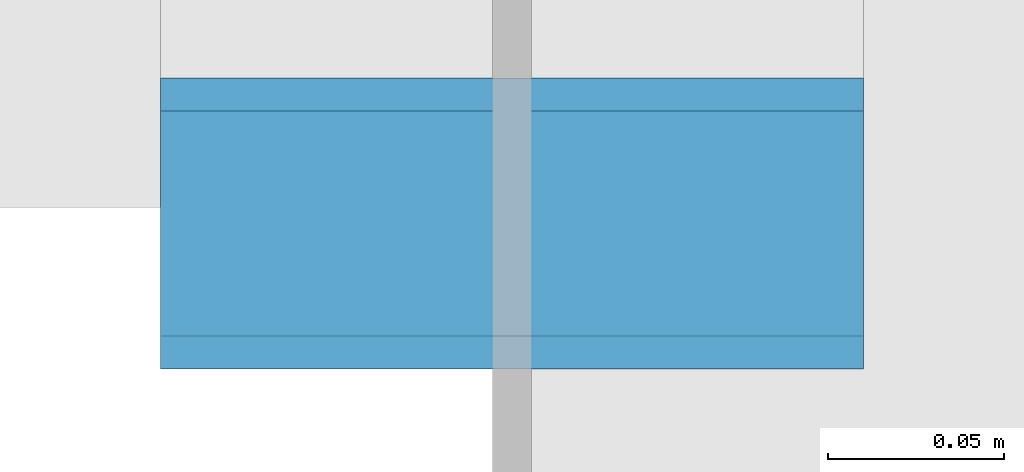
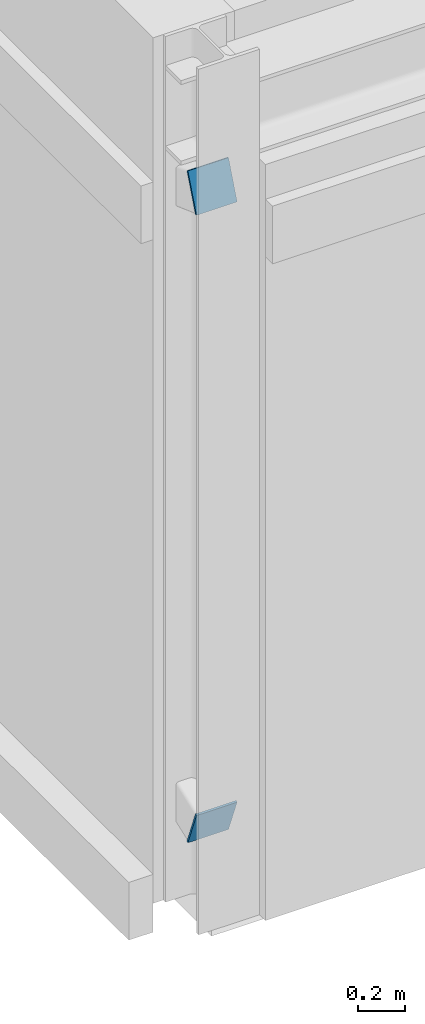
# One storey, part 115 of 153: 2 discrete accessories.
"""IFC4 building model written with IfcOpenShell, lengths in metres."""

from ifc_helpers import new_model, si_unit, direction, frame, origin, origin_2d, place, context, subcontext, project, spatial, rectangle, extrude, material, material_profile, profile_set, type_object, element, save


model = new_model("IFC4")

# Units and contexts
model_context = context("Model", 3, precision=1e-05, world=origin(), true_north=direction((0.0, 1.0)))
body_context = subcontext(model_context, "Body", "Model", "MODEL_VIEW")
ifc_project = project(units=[si_unit("LENGTHUNIT", "METRE"), si_unit("AREAUNIT", "SQUARE_METRE"), si_unit("VOLUMEUNIT", "CUBIC_METRE"), si_unit("PLANEANGLEUNIT", "RADIAN"), si_unit("MASSUNIT", "GRAM", prefix="KILO")], contexts=[model_context])

# Site, building, storey
site_placement = place(None, origin())
site = spatial("IfcSite", under=ifc_project, at=site_placement, CompositionType="ELEMENT")
building_placement = place(site_placement, origin())
building = spatial("IfcBuilding", under=site, at=building_placement, Name="Kallimachos Central Library", CompositionType="ELEMENT")
storey_placement = place(building_placement, frame((0.0, 0.0, 5.39990234375)))
storey = spatial("IfcBuildingStorey", under=building, at=storey_placement, Name="L01", CompositionType="ELEMENT", Elevation=5.39990234375)

# Discrete accessories
ifc_material = material(Name="Steel S355J2", Category="steel")
ifc_material_profile = material_profile(ifc_material, rectangle(XDim=0.199951171875, YDim=0.199951171875, at=origin_2d()), Name="End cap plate 10, 200x200")
ifc_profile_set = profile_set([ifc_material_profile], Name="Steel S355J2")
discrete_accessory_type = type_object("IfcDiscreteAccessoryType", Name="End cap plate 10, 200x200", PredefinedType="BRACKET", material=ifc_profile_set)
for number, where, z_axis, x_axis, name in (
    (1, (6.0, 86.99072265625, 0.446533203125), (0.0, 0.930155221331, 0.367166534736), (-1.0, 0.0, 0.0), "End cap plate"),
    (2, (6.0, 86.99072265625, 3.753662109375), (0.0, 0.930155221331, -0.367166534736), (-1.0, 0.0, 0.0), "End cap plate"),
):
    element("IfcDiscreteAccessory", number, at=place(storey_placement, frame(where, z_axis=z_axis, x_axis=x_axis)), inside=storey, type_object=discrete_accessory_type, Name=name, PredefinedType="BRACKET", context=body_context, shape_type="SweptSolid", body=[
        extrude(rectangle(XDim=0.199951171875, YDim=0.199951171875, at=origin_2d()), origin(), (0.0, 0.0, 1.0), 0.010009765625),
    ])

save(model, "model.ifc")
